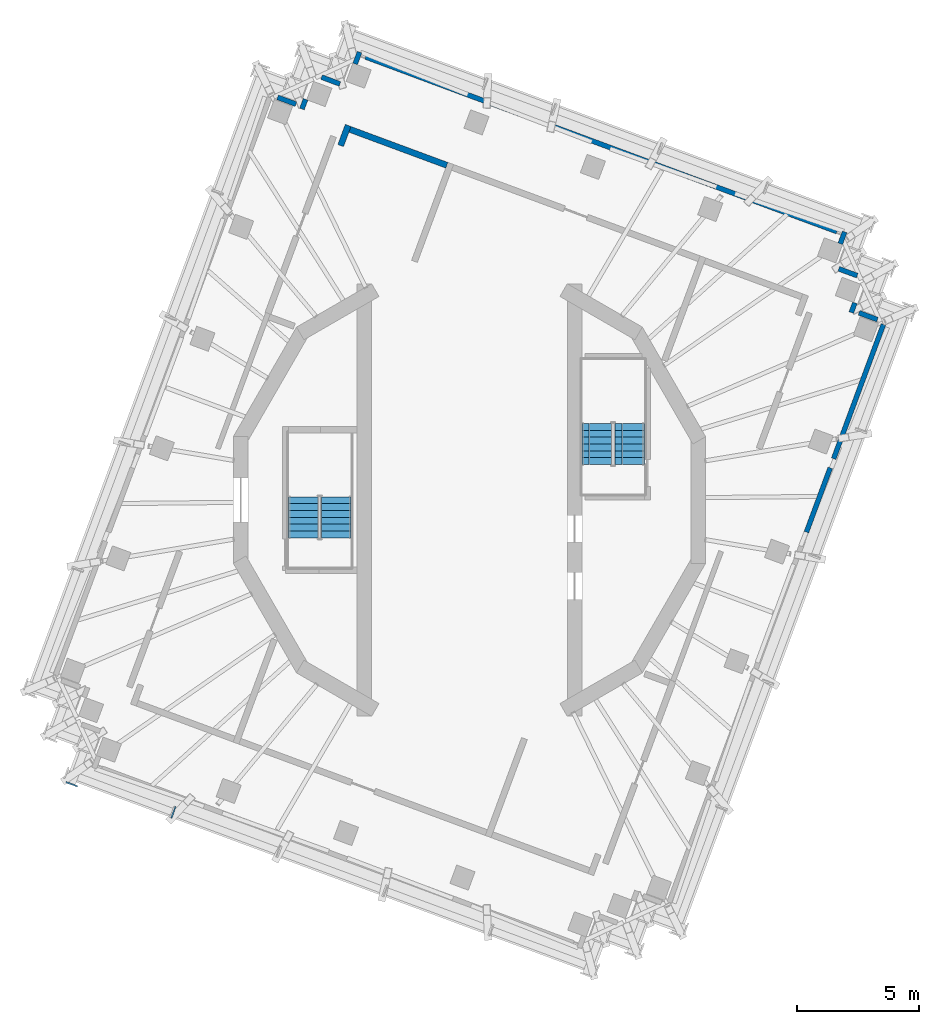
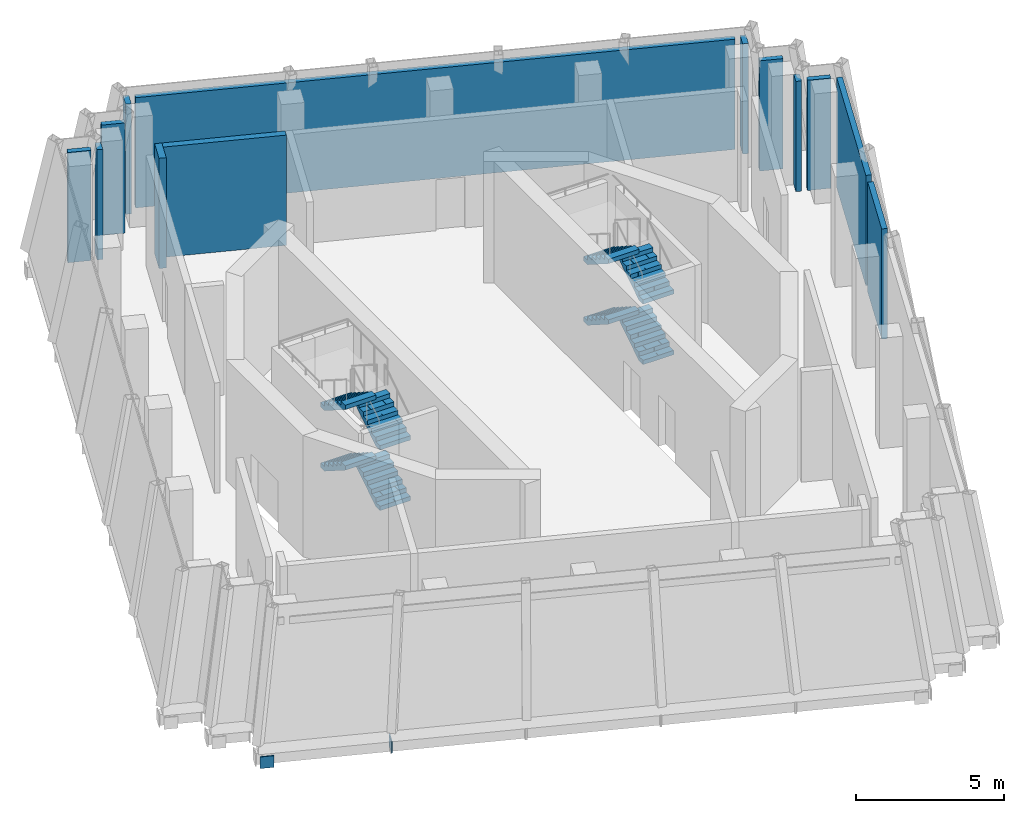
# One storey, part 6 of 13: 13 walls, 8 stair flights, 2 discrete accessories, 4 elements without a shape of their own.
"""IFC4 building model written with IfcOpenShell, lengths in metres."""

from ifc_helpers import new_model, si_unit, direction, frame, frame_2d, origin, place, context, subcontext, project, spatial, polyline, rectangle, outline, extrude, material, layer, layer_set, type_object, element, aggregate, save


model = new_model("IFC4")

# Units and contexts
model_context = context("Model", 3, precision=1e-05, world=origin(), true_north=direction((0.0, 1.0)))
body_context = subcontext(model_context, "Body", "Model", "MODEL_VIEW")
ifc_project = project(units=[si_unit("LENGTHUNIT", "METRE"), si_unit("AREAUNIT", "SQUARE_METRE"), si_unit("VOLUMEUNIT", "CUBIC_METRE"), si_unit("PLANEANGLEUNIT", "RADIAN"), si_unit("MASSUNIT", "GRAM", prefix="KILO")], contexts=[model_context])

# Site, building, storey
site_placement = place(None, origin())
site = spatial("IfcSite", under=ifc_project, at=site_placement, CompositionType="ELEMENT")
building_placement = place(site_placement, origin())
building = spatial("IfcBuilding", under=site, at=building_placement, Name="Cantera Rosa Tower", CompositionType="ELEMENT")
storey_placement = place(building_placement, frame((0.0, 0.0, 350.699951171875)))
storey = spatial("IfcBuildingStorey", under=building, at=storey_placement, Name="L79", CompositionType="ELEMENT", Elevation=350.699951171875)

# Walls
ifc_material_1 = material(Name="Masonry blockwork", Category="masonry")
ifc_layer_1 = layer(ifc_material_1, 0.199951171875)
ifc_layer_set_1 = layer_set([ifc_layer_1], Name="Blockwork partition 200")
wall_type_1 = type_object("IfcWallType", Name="Blockwork partition 200", PredefinedType="PARTITIONING", material=ifc_layer_set_1)
for number, where, z_axis, x_axis, name in (
    (1, (15.167236328125, 10.481201171875, 0.0), (0.0, 0.0, 1.0), (0.347391322771, 0.937720250855, 0.0), "Partition L79-26"),
    (2, (-4.67431640625, 17.833984375, 0.0), (0.0, 0.0, 1.0), (0.347391322771, 0.937720250855, 0.0), "Partition L79-29"),
):
    element("IfcWall", number, at=place(storey_placement, frame(where, z_axis=z_axis, x_axis=x_axis)), inside=storey, type_object=wall_type_1, Name=name, PredefinedType="PARTITIONING", context=body_context, shape_type="SweptSolid", body=[
        extrude(rectangle(XDim=0.5166015625, YDim=0.199951171875, at=frame_2d((0.25830078125, 0.0))), origin(), (0.0, 0.0, 1.0), 4.550048828125),
    ])
wall_1_placement = place(storey_placement, frame((-6.85009765625, 15.99169921875, 0.0), z_axis=(0.0, 0.0, 1.0), x_axis=(0.347371017887, 0.937727772827, 0.0)))
element("IfcWall", 3, at=wall_1_placement, inside=storey, type_object=wall_type_1, Name="Partition L79-31", PredefinedType="PARTITIONING", context=body_context, shape_type="SweptSolid", body=[
    extrude(rectangle(XDim=0.4208984375, YDim=0.199951171875, at=frame_2d((0.21044921875, 0.0))), origin(), (0.0, 0.0, 1.0), 4.550048828125),
])
for number, where, z_axis, x_axis, name in (
    (4, (16.68310546875, 7.377685546875, 0.0), (0.0, 0.0, 1.0), (-0.937726665975, 0.34737400582, 0.0), "Partition L79-37"),
    (5, (-7.0966796875, 16.189697265625, 0.0), (0.0, 0.0, 1.0), (-0.93762720555, 0.34764237862, 0.0), "Partition L79-38"),
):
    element("IfcWall", number, at=place(storey_placement, frame(where, z_axis=z_axis, x_axis=x_axis)), inside=storey, type_object=wall_type_1, Name=name, PredefinedType="PARTITIONING", context=body_context, shape_type="SweptSolid", body=[
        extrude(rectangle(XDim=0.7998046875, YDim=0.199951171875, at=frame_2d((0.39990234375, 0.0))), origin(), (0.0, 0.0, 1.0), 4.550048828125),
    ])
for number, where, z_axis, x_axis, name in (
    (6, (15.85693359375, 9.177001953125, 0.0), (0.0, 0.0, 1.0), (-0.937763484234, 0.347274599759, 0.0), "Partition L79-39"),
    (7, (-5.29736328125, 17.01611328125, 0.0), (0.0, 0.0, 1.0), (-0.937763484234, 0.347274599759, 0.0), "Partition L79-40"),
):
    element("IfcWall", number, at=place(storey_placement, frame(where, z_axis=z_axis, x_axis=x_axis)), inside=storey, type_object=wall_type_1, Name=name, PredefinedType="PARTITIONING", context=body_context, shape_type="SweptSolid", body=[
        extrude(rectangle(XDim=0.800048828125, YDim=0.199951171875, at=frame_2d((0.39990234375, 0.0))), origin(), (0.0, 0.0, 1.0), 4.550048828125),
    ])
wall_2_placement = place(storey_placement, frame((15.030517578125, 10.97607421875, 0.0), z_axis=(0.0, 0.0, 1.0), x_axis=(-0.937685576628, 0.347484905261, 0.0)))
element("IfcWall", 8, at=wall_2_placement, inside=storey, type_object=wall_type_1, Name="Partition L79-41", PredefinedType="PARTITIONING", context=body_context, shape_type="SweptSolid", body=[
    extrude(rectangle(XDim=20.56005859375, YDim=0.199951171875, at=frame_2d((10.280029296875, 0.0))), origin(), (0.0, 0.0, 1.0), 4.550048828125),
])
wall_3_placement = place(storey_placement, frame((15.616943359375, 7.666015625, 0.0), z_axis=(0.0, 0.0, 1.0), x_axis=(0.347371017887, 0.937727772827, 0.0)))
element("IfcWall", 9, at=wall_3_placement, inside=storey, type_object=wall_type_1, Name="Partition L79-43", PredefinedType="PARTITIONING", context=body_context, shape_type="SweptSolid", body=[
    extrude(rectangle(XDim=0.4208984375, YDim=0.199951171875, at=frame_2d((0.21044921875, 0.0))), origin(), (0.0, 0.0, 1.0), 4.550048828125),
])
wall_4_placement = place(storey_placement, frame((13.78271484375, -1.3125, 0.0), z_axis=(0.0, 0.0, 1.0), x_axis=(0.347527372163, 0.937669838268, 0.0)))
element("IfcWall", 10, at=wall_4_placement, inside=storey, type_object=wall_type_1, Name="Partition L79-45", PredefinedType="PARTITIONING", context=body_context, shape_type="SweptSolid", body=[
    extrude(rectangle(XDim=2.799560546875, YDim=0.199951171875, at=frame_2d((1.39990234375, 0.0))), origin(), (0.0, 0.0, 1.0), 4.550048828125),
])
wall_5_placement = place(storey_placement, frame((14.89453125, 1.6875, 0.0), z_axis=(0.0, 0.0, 1.0), x_axis=(0.347466399837, 0.937692434109, 0.0)))
element("IfcWall", 11, at=wall_5_placement, inside=storey, type_object=wall_type_1, Name="Partition L79-46", PredefinedType="PARTITIONING", context=body_context, shape_type="SweptSolid", body=[
    extrude(rectangle(XDim=5.857177734375, YDim=0.199951171875, at=frame_2d((2.9287109375, 0.0))), origin(), (0.0, 0.0, 1.0), 4.550048828125),
])
ifc_material_2 = material(Name="Masonry blockwork", Category="masonry")
ifc_layer_2 = layer(ifc_material_2, 0.25)
ifc_layer_set_2 = layer_set([ifc_layer_2], Name="Fire-rated wall 250")
wall_type_2 = type_object("IfcWallType", Name="Fire-rated wall 250", PredefinedType="PARTITIONING", material=ifc_layer_set_2)
wall_6_placement = place(storey_placement, frame((-5.26708984375, 14.494384765625, 0.0), z_axis=(0.0, 0.0, 1.0), x_axis=(0.34746813681, 0.937691790463, 0.0)))
element("IfcWall", 12, at=wall_6_placement, inside=storey, type_object=wall_type_2, Name="Fire wall L79-7", PredefinedType="PARTITIONING", context=body_context, shape_type="SweptSolid", body=[
    extrude(rectangle(XDim=0.87890625, YDim=0.25, at=frame_2d((0.439453125, 0.0))), origin(), (0.0, 0.0, 1.0), 4.550048828125),
])
wall_7_placement = place(storey_placement, frame((-0.92578125, 13.689697265625, 0.0), z_axis=(0.0, 0.0, 1.0), x_axis=(-0.937687413065, 0.347479949607, 0.0)))
element("IfcWall", 13, at=wall_7_placement, inside=storey, type_object=wall_type_2, Name="Fire wall L79-14", PredefinedType="PARTITIONING", context=body_context, shape_type="SweptSolid", body=[
    extrude(rectangle(XDim=4.225341796875, YDim=0.25, at=frame_2d((2.11279296875, 0.0))), origin(), (0.0, 0.0, 1.0), 4.550048828125),
])

# Stair, stair flights
ifc_material_3 = material(Name="Concrete C35/45", Category="concrete")
stair_type = type_object("IfcStairType", Name="EXIT STAIR 1200 DOGLEG", PredefinedType="HALF_TURN_STAIR", material=ifc_material_3)
stair_1_placement = place(storey_placement, origin())
stair_1 = element("IfcStair", 14, at=stair_1_placement, inside=storey, type_object=stair_type, Name="L79 ST-71", PredefinedType="HALF_TURN_STAIR")
ifc_material_4 = material(Name="Concrete C35/45", Category="concrete")
stair_flight_type = type_object("IfcStairFlightType", Name="STAIR FLIGHT 1200 R28x179", PredefinedType="STRAIGHT", material=ifc_material_4)
stair_flight_1_placement = place(storey_placement, frame((-5.449951171875, -1.550048828125, 0.0), z_axis=(0.0, 0.0, 1.0), x_axis=(0.0, 1.0, 0.0)))
stair_flight_1 = element("IfcStairFlight", 15, at=stair_flight_1_placement, type_object=stair_flight_type, Name="ST-71 flight 1", NumberOfRisers=7, NumberOfTreads=6, PredefinedType="STRAIGHT", RiserHeight=0.178571429, TreadLength=0.28, context=body_context, shape_type="SweptSolid", body=[
    extrude(outline(polyline([(0.0, 0.0), (0.0, 0.178466796875), (0.280029296875, 0.178466796875), (0.280029296875, 0.357177734375), (0.56005859375, 0.357177734375), (0.56005859375, 0.53564453125), (0.840087890625, 0.53564453125), (0.840087890625, 0.71435546875), (1.1201171875, 0.71435546875), (1.1201171875, 0.892822265625), (1.39990234375, 0.892822265625), (1.39990234375, 1.071533203125), (1.679931640625, 1.071533203125), (1.679931640625, 1.25), (1.679931640625, 0.8935546875), (0.27880859375, 0.0), (0.0, 0.0)])), frame((0.0, 0.60009765625, 0.0), z_axis=(0.0, -1.0, 0.0), x_axis=(1.0, 0.0, 0.0)), (0.0, 0.0, 1.0), 0.298583984375),
    extrude(outline(polyline([(0.0, 0.0), (0.0, 0.178466796875), (0.280029296875, 0.178466796875), (0.280029296875, 0.357177734375), (0.56005859375, 0.357177734375), (0.56005859375, 0.53564453125), (0.840087890625, 0.53564453125), (0.840087890625, 0.71435546875), (1.1201171875, 0.71435546875), (1.1201171875, 0.892822265625), (1.39990234375, 0.892822265625), (1.39990234375, 1.071533203125), (1.679931640625, 1.071533203125), (1.679931640625, 1.25), (1.679931640625, 0.8935546875), (0.27880859375, 0.0), (0.0, 0.0)])), frame((0.0, 0.29931640625, 0.0), z_axis=(0.0, -1.0, 0.0), x_axis=(1.0, 0.0, 0.0)), (0.0, 0.0, 1.0), 0.298583984375),
    extrude(outline(polyline([(0.0, 0.0), (0.0, 0.178466796875), (0.280029296875, 0.178466796875), (0.280029296875, 0.357177734375), (0.56005859375, 0.357177734375), (0.56005859375, 0.53564453125), (0.840087890625, 0.53564453125), (0.840087890625, 0.71435546875), (1.1201171875, 0.71435546875), (1.1201171875, 0.892822265625), (1.39990234375, 0.892822265625), (1.39990234375, 1.071533203125), (1.679931640625, 1.071533203125), (1.679931640625, 1.25), (1.679931640625, 0.8935546875), (0.27880859375, 0.0), (0.0, 0.0)])), frame((0.0, -0.0009765625, 0.0), z_axis=(0.0, -1.0, 0.0), x_axis=(1.0, 0.0, 0.0)), (0.0, 0.0, 1.0), 0.298583984375),
    extrude(outline(polyline([(0.0, 0.0), (0.0, 0.178466796875), (0.280029296875, 0.178466796875), (0.280029296875, 0.357177734375), (0.56005859375, 0.357177734375), (0.56005859375, 0.53564453125), (0.840087890625, 0.53564453125), (0.840087890625, 0.71435546875), (1.1201171875, 0.71435546875), (1.1201171875, 0.892822265625), (1.39990234375, 0.892822265625), (1.39990234375, 1.071533203125), (1.679931640625, 1.071533203125), (1.679931640625, 1.25), (1.679931640625, 0.8935546875), (0.27880859375, 0.0), (0.0, 0.0)])), frame((0.0, -0.3017578125, 0.0), z_axis=(0.0, -1.0, 0.0), x_axis=(1.0, 0.0, 0.0)), (0.0, 0.0, 1.0), 0.298583984375),
])
stair_flight_2_placement = place(storey_placement, frame((-6.800048828125, 0.1298828125, 1.25), z_axis=(0.0, 0.0, 1.0), x_axis=(0.0, -1.0, 0.0)))
stair_flight_2 = element("IfcStairFlight", 16, at=stair_flight_2_placement, type_object=stair_flight_type, Name="ST-71 flight 2", NumberOfRisers=7, NumberOfTreads=6, PredefinedType="STRAIGHT", RiserHeight=0.178571429, TreadLength=0.28, context=body_context, shape_type="SweptSolid", body=[
    extrude(outline(polyline([(0.0, 0.0), (0.0, 0.178466796875), (0.280029296875, 0.178466796875), (0.280029296875, 0.357177734375), (0.56005859375, 0.357177734375), (0.56005859375, 0.53564453125), (0.840087890625, 0.53564453125), (0.840087890625, 0.71435546875), (1.1201171875, 0.71435546875), (1.1201171875, 0.892822265625), (1.39990234375, 0.892822265625), (1.39990234375, 1.071533203125), (1.679931640625, 1.071533203125), (1.679931640625, 1.25), (1.679931640625, 0.8935546875), (0.27880859375, 0.0), (0.0, 0.0)])), frame((0.0, 0.60009765625, 0.0), z_axis=(0.0, -1.0, 0.0), x_axis=(1.0, 0.0, 0.0)), (0.0, 0.0, 1.0), 0.298583984375),
    extrude(outline(polyline([(0.0, 0.0), (0.0, 0.178466796875), (0.280029296875, 0.178466796875), (0.280029296875, 0.357177734375), (0.56005859375, 0.357177734375), (0.56005859375, 0.53564453125), (0.840087890625, 0.53564453125), (0.840087890625, 0.71435546875), (1.1201171875, 0.71435546875), (1.1201171875, 0.892822265625), (1.39990234375, 0.892822265625), (1.39990234375, 1.071533203125), (1.679931640625, 1.071533203125), (1.679931640625, 1.25), (1.679931640625, 0.8935546875), (0.27880859375, 0.0), (0.0, 0.0)])), frame((0.0, 0.29931640625, 0.0), z_axis=(0.0, -1.0, 0.0), x_axis=(1.0, 0.0, 0.0)), (0.0, 0.0, 1.0), 0.298583984375),
    extrude(outline(polyline([(0.0, 0.0), (0.0, 0.178466796875), (0.280029296875, 0.178466796875), (0.280029296875, 0.357177734375), (0.56005859375, 0.357177734375), (0.56005859375, 0.53564453125), (0.840087890625, 0.53564453125), (0.840087890625, 0.71435546875), (1.1201171875, 0.71435546875), (1.1201171875, 0.892822265625), (1.39990234375, 0.892822265625), (1.39990234375, 1.071533203125), (1.679931640625, 1.071533203125), (1.679931640625, 1.25), (1.679931640625, 0.8935546875), (0.27880859375, 0.0), (0.0, 0.0)])), frame((0.0, -0.0009765625, 0.0), z_axis=(0.0, -1.0, 0.0), x_axis=(1.0, 0.0, 0.0)), (0.0, 0.0, 1.0), 0.298583984375),
    extrude(outline(polyline([(0.0, 0.0), (0.0, 0.178466796875), (0.280029296875, 0.178466796875), (0.280029296875, 0.357177734375), (0.56005859375, 0.357177734375), (0.56005859375, 0.53564453125), (0.840087890625, 0.53564453125), (0.840087890625, 0.71435546875), (1.1201171875, 0.71435546875), (1.1201171875, 0.892822265625), (1.39990234375, 0.892822265625), (1.39990234375, 1.071533203125), (1.679931640625, 1.071533203125), (1.679931640625, 1.25), (1.679931640625, 0.8935546875), (0.27880859375, 0.0), (0.0, 0.0)])), frame((0.0, -0.3017578125, 0.0), z_axis=(0.0, -1.0, 0.0), x_axis=(1.0, 0.0, 0.0)), (0.0, 0.0, 1.0), 0.298583984375),
])
stair_flight_3_placement = place(storey_placement, frame((-5.449951171875, -1.550048828125, 2.5), z_axis=(0.0, 0.0, 1.0), x_axis=(0.0, 1.0, 0.0)))
stair_flight_3 = element("IfcStairFlight", 17, at=stair_flight_3_placement, type_object=stair_flight_type, Name="ST-71 flight 3", NumberOfRisers=7, NumberOfTreads=6, PredefinedType="STRAIGHT", RiserHeight=0.178571429, TreadLength=0.28, context=body_context, shape_type="SweptSolid", body=[
    extrude(outline(polyline([(0.0, 0.0), (0.0, 0.178466796875), (0.280029296875, 0.178466796875), (0.280029296875, 0.357177734375), (0.56005859375, 0.357177734375), (0.56005859375, 0.53564453125), (0.840087890625, 0.53564453125), (0.840087890625, 0.71435546875), (1.1201171875, 0.71435546875), (1.1201171875, 0.892822265625), (1.39990234375, 0.892822265625), (1.39990234375, 1.071533203125), (1.679931640625, 1.071533203125), (1.679931640625, 1.25), (1.679931640625, 0.8935546875), (0.27880859375, 0.0), (0.0, 0.0)])), frame((0.0, 0.60009765625, 0.0), z_axis=(0.0, -1.0, 0.0), x_axis=(1.0, 0.0, 0.0)), (0.0, 0.0, 1.0), 0.298583984375),
    extrude(outline(polyline([(0.0, 0.0), (0.0, 0.178466796875), (0.280029296875, 0.178466796875), (0.280029296875, 0.357177734375), (0.56005859375, 0.357177734375), (0.56005859375, 0.53564453125), (0.840087890625, 0.53564453125), (0.840087890625, 0.71435546875), (1.1201171875, 0.71435546875), (1.1201171875, 0.892822265625), (1.39990234375, 0.892822265625), (1.39990234375, 1.071533203125), (1.679931640625, 1.071533203125), (1.679931640625, 1.25), (1.679931640625, 0.8935546875), (0.27880859375, 0.0), (0.0, 0.0)])), frame((0.0, 0.29931640625, 0.0), z_axis=(0.0, -1.0, 0.0), x_axis=(1.0, 0.0, 0.0)), (0.0, 0.0, 1.0), 0.298583984375),
    extrude(outline(polyline([(0.0, 0.0), (0.0, 0.178466796875), (0.280029296875, 0.178466796875), (0.280029296875, 0.357177734375), (0.56005859375, 0.357177734375), (0.56005859375, 0.53564453125), (0.840087890625, 0.53564453125), (0.840087890625, 0.71435546875), (1.1201171875, 0.71435546875), (1.1201171875, 0.892822265625), (1.39990234375, 0.892822265625), (1.39990234375, 1.071533203125), (1.679931640625, 1.071533203125), (1.679931640625, 1.25), (1.679931640625, 0.8935546875), (0.27880859375, 0.0), (0.0, 0.0)])), frame((0.0, -0.0009765625, 0.0), z_axis=(0.0, -1.0, 0.0), x_axis=(1.0, 0.0, 0.0)), (0.0, 0.0, 1.0), 0.298583984375),
    extrude(outline(polyline([(0.0, 0.0), (0.0, 0.178466796875), (0.280029296875, 0.178466796875), (0.280029296875, 0.357177734375), (0.56005859375, 0.357177734375), (0.56005859375, 0.53564453125), (0.840087890625, 0.53564453125), (0.840087890625, 0.71435546875), (1.1201171875, 0.71435546875), (1.1201171875, 0.892822265625), (1.39990234375, 0.892822265625), (1.39990234375, 1.071533203125), (1.679931640625, 1.071533203125), (1.679931640625, 1.25), (1.679931640625, 0.8935546875), (0.27880859375, 0.0), (0.0, 0.0)])), frame((0.0, -0.3017578125, 0.0), z_axis=(0.0, -1.0, 0.0), x_axis=(1.0, 0.0, 0.0)), (0.0, 0.0, 1.0), 0.298583984375),
])
stair_flight_4_placement = place(storey_placement, frame((-6.800048828125, 0.1298828125, 3.75), z_axis=(0.0, 0.0, 1.0), x_axis=(0.0, -1.0, 0.0)))
stair_flight_4 = element("IfcStairFlight", 18, at=stair_flight_4_placement, type_object=stair_flight_type, Name="ST-71 flight 4", NumberOfRisers=7, NumberOfTreads=6, PredefinedType="STRAIGHT", RiserHeight=0.178571429, TreadLength=0.28, context=body_context, shape_type="SweptSolid", body=[
    extrude(outline(polyline([(0.0, 0.0), (0.0, 0.178466796875), (0.280029296875, 0.178466796875), (0.280029296875, 0.357177734375), (0.56005859375, 0.357177734375), (0.56005859375, 0.53564453125), (0.840087890625, 0.53564453125), (0.840087890625, 0.71435546875), (1.1201171875, 0.71435546875), (1.1201171875, 0.892822265625), (1.39990234375, 0.892822265625), (1.39990234375, 1.071533203125), (1.679931640625, 1.071533203125), (1.679931640625, 1.25), (1.679931640625, 0.8935546875), (0.27880859375, 0.0), (0.0, 0.0)])), frame((0.0, 0.60009765625, 0.0), z_axis=(0.0, -1.0, 0.0), x_axis=(1.0, 0.0, 0.0)), (0.0, 0.0, 1.0), 0.298583984375),
    extrude(outline(polyline([(0.0, 0.0), (0.0, 0.178466796875), (0.280029296875, 0.178466796875), (0.280029296875, 0.357177734375), (0.56005859375, 0.357177734375), (0.56005859375, 0.53564453125), (0.840087890625, 0.53564453125), (0.840087890625, 0.71435546875), (1.1201171875, 0.71435546875), (1.1201171875, 0.892822265625), (1.39990234375, 0.892822265625), (1.39990234375, 1.071533203125), (1.679931640625, 1.071533203125), (1.679931640625, 1.25), (1.679931640625, 0.8935546875), (0.27880859375, 0.0), (0.0, 0.0)])), frame((0.0, 0.29931640625, 0.0), z_axis=(0.0, -1.0, 0.0), x_axis=(1.0, 0.0, 0.0)), (0.0, 0.0, 1.0), 0.298583984375),
    extrude(outline(polyline([(0.0, 0.0), (0.0, 0.178466796875), (0.280029296875, 0.178466796875), (0.280029296875, 0.357177734375), (0.56005859375, 0.357177734375), (0.56005859375, 0.53564453125), (0.840087890625, 0.53564453125), (0.840087890625, 0.71435546875), (1.1201171875, 0.71435546875), (1.1201171875, 0.892822265625), (1.39990234375, 0.892822265625), (1.39990234375, 1.071533203125), (1.679931640625, 1.071533203125), (1.679931640625, 1.25), (1.679931640625, 0.8935546875), (0.27880859375, 0.0), (0.0, 0.0)])), frame((0.0, -0.0009765625, 0.0), z_axis=(0.0, -1.0, 0.0), x_axis=(1.0, 0.0, 0.0)), (0.0, 0.0, 1.0), 0.298583984375),
    extrude(outline(polyline([(0.0, 0.0), (0.0, 0.178466796875), (0.280029296875, 0.178466796875), (0.280029296875, 0.357177734375), (0.56005859375, 0.357177734375), (0.56005859375, 0.53564453125), (0.840087890625, 0.53564453125), (0.840087890625, 0.71435546875), (1.1201171875, 0.71435546875), (1.1201171875, 0.892822265625), (1.39990234375, 0.892822265625), (1.39990234375, 1.071533203125), (1.679931640625, 1.071533203125), (1.679931640625, 1.25), (1.679931640625, 0.8935546875), (0.27880859375, 0.0), (0.0, 0.0)])), frame((0.0, -0.3017578125, 0.0), z_axis=(0.0, -1.0, 0.0), x_axis=(1.0, 0.0, 0.0)), (0.0, 0.0, 1.0), 0.298583984375),
])
aggregate(stair_1, [stair_flight_1, stair_flight_2, stair_flight_3, stair_flight_4])

stair_2_placement = place(storey_placement, origin())
stair_2 = element("IfcStair", 19, at=stair_2_placement, inside=storey, type_object=stair_type, Name="L79 ST-72", PredefinedType="HALF_TURN_STAIR")
stair_flight_5_placement = place(storey_placement, frame((6.550048828125, 1.449951171875, 0.0), z_axis=(0.0, 0.0, 1.0), x_axis=(0.0, 1.0, 0.0)))
stair_flight_5 = element("IfcStairFlight", 20, at=stair_flight_5_placement, type_object=stair_flight_type, Name="ST-72 flight 1", NumberOfRisers=7, NumberOfTreads=6, PredefinedType="STRAIGHT", RiserHeight=0.178571429, TreadLength=0.28, context=body_context, shape_type="SweptSolid", body=[
    extrude(outline(polyline([(0.0, 0.0), (0.0, 0.178466796875), (0.280029296875, 0.178466796875), (0.280029296875, 0.357177734375), (0.56005859375, 0.357177734375), (0.56005859375, 0.53564453125), (0.840087890625, 0.53564453125), (0.840087890625, 0.71435546875), (1.1201171875, 0.71435546875), (1.1201171875, 0.892822265625), (1.39990234375, 0.892822265625), (1.39990234375, 1.071533203125), (1.679931640625, 1.071533203125), (1.679931640625, 1.25), (1.679931640625, 0.8935546875), (0.27880859375, 0.0), (0.0, 0.0)])), frame((0.0, 0.60009765625, 0.0), z_axis=(0.0, -1.0, 0.0), x_axis=(1.0, 0.0, 0.0)), (0.0, 0.0, 1.0), 0.298583984375),
    extrude(outline(polyline([(0.0, 0.0), (0.0, 0.178466796875), (0.280029296875, 0.178466796875), (0.280029296875, 0.357177734375), (0.56005859375, 0.357177734375), (0.56005859375, 0.53564453125), (0.840087890625, 0.53564453125), (0.840087890625, 0.71435546875), (1.1201171875, 0.71435546875), (1.1201171875, 0.892822265625), (1.39990234375, 0.892822265625), (1.39990234375, 1.071533203125), (1.679931640625, 1.071533203125), (1.679931640625, 1.25), (1.679931640625, 0.8935546875), (0.27880859375, 0.0), (0.0, 0.0)])), frame((0.0, 0.29931640625, 0.0), z_axis=(0.0, -1.0, 0.0), x_axis=(1.0, 0.0, 0.0)), (0.0, 0.0, 1.0), 0.298583984375),
    extrude(outline(polyline([(0.0, 0.0), (0.0, 0.178466796875), (0.280029296875, 0.178466796875), (0.280029296875, 0.357177734375), (0.56005859375, 0.357177734375), (0.56005859375, 0.53564453125), (0.840087890625, 0.53564453125), (0.840087890625, 0.71435546875), (1.1201171875, 0.71435546875), (1.1201171875, 0.892822265625), (1.39990234375, 0.892822265625), (1.39990234375, 1.071533203125), (1.679931640625, 1.071533203125), (1.679931640625, 1.25), (1.679931640625, 0.8935546875), (0.27880859375, 0.0), (0.0, 0.0)])), frame((0.0, -0.0009765625, 0.0), z_axis=(0.0, -1.0, 0.0), x_axis=(1.0, 0.0, 0.0)), (0.0, 0.0, 1.0), 0.298583984375),
    extrude(outline(polyline([(0.0, 0.0), (0.0, 0.178466796875), (0.280029296875, 0.178466796875), (0.280029296875, 0.357177734375), (0.56005859375, 0.357177734375), (0.56005859375, 0.53564453125), (0.840087890625, 0.53564453125), (0.840087890625, 0.71435546875), (1.1201171875, 0.71435546875), (1.1201171875, 0.892822265625), (1.39990234375, 0.892822265625), (1.39990234375, 1.071533203125), (1.679931640625, 1.071533203125), (1.679931640625, 1.25), (1.679931640625, 0.8935546875), (0.27880859375, 0.0), (0.0, 0.0)])), frame((0.0, -0.3017578125, 0.0), z_axis=(0.0, -1.0, 0.0), x_axis=(1.0, 0.0, 0.0)), (0.0, 0.0, 1.0), 0.298583984375),
])
stair_flight_6_placement = place(storey_placement, frame((5.199951171875, 3.1298828125, 1.25), z_axis=(0.0, 0.0, 1.0), x_axis=(0.0, -1.0, 0.0)))
stair_flight_6 = element("IfcStairFlight", 21, at=stair_flight_6_placement, type_object=stair_flight_type, Name="ST-72 flight 2", NumberOfRisers=7, NumberOfTreads=6, PredefinedType="STRAIGHT", RiserHeight=0.178571429, TreadLength=0.28, context=body_context, shape_type="SweptSolid", body=[
    extrude(outline(polyline([(0.0, 0.0), (0.0, 0.178466796875), (0.280029296875, 0.178466796875), (0.280029296875, 0.357177734375), (0.56005859375, 0.357177734375), (0.56005859375, 0.53564453125), (0.840087890625, 0.53564453125), (0.840087890625, 0.71435546875), (1.1201171875, 0.71435546875), (1.1201171875, 0.892822265625), (1.39990234375, 0.892822265625), (1.39990234375, 1.071533203125), (1.679931640625, 1.071533203125), (1.679931640625, 1.25), (1.679931640625, 0.8935546875), (0.27880859375, 0.0), (0.0, 0.0)])), frame((0.0, 0.60009765625, 0.0), z_axis=(0.0, -1.0, 0.0), x_axis=(1.0, 0.0, 0.0)), (0.0, 0.0, 1.0), 0.298583984375),
    extrude(outline(polyline([(0.0, 0.0), (0.0, 0.178466796875), (0.280029296875, 0.178466796875), (0.280029296875, 0.357177734375), (0.56005859375, 0.357177734375), (0.56005859375, 0.53564453125), (0.840087890625, 0.53564453125), (0.840087890625, 0.71435546875), (1.1201171875, 0.71435546875), (1.1201171875, 0.892822265625), (1.39990234375, 0.892822265625), (1.39990234375, 1.071533203125), (1.679931640625, 1.071533203125), (1.679931640625, 1.25), (1.679931640625, 0.8935546875), (0.27880859375, 0.0), (0.0, 0.0)])), frame((0.0, 0.29931640625, 0.0), z_axis=(0.0, -1.0, 0.0), x_axis=(1.0, 0.0, 0.0)), (0.0, 0.0, 1.0), 0.298583984375),
    extrude(outline(polyline([(0.0, 0.0), (0.0, 0.178466796875), (0.280029296875, 0.178466796875), (0.280029296875, 0.357177734375), (0.56005859375, 0.357177734375), (0.56005859375, 0.53564453125), (0.840087890625, 0.53564453125), (0.840087890625, 0.71435546875), (1.1201171875, 0.71435546875), (1.1201171875, 0.892822265625), (1.39990234375, 0.892822265625), (1.39990234375, 1.071533203125), (1.679931640625, 1.071533203125), (1.679931640625, 1.25), (1.679931640625, 0.8935546875), (0.27880859375, 0.0), (0.0, 0.0)])), frame((0.0, -0.0009765625, 0.0), z_axis=(0.0, -1.0, 0.0), x_axis=(1.0, 0.0, 0.0)), (0.0, 0.0, 1.0), 0.298583984375),
    extrude(outline(polyline([(0.0, 0.0), (0.0, 0.178466796875), (0.280029296875, 0.178466796875), (0.280029296875, 0.357177734375), (0.56005859375, 0.357177734375), (0.56005859375, 0.53564453125), (0.840087890625, 0.53564453125), (0.840087890625, 0.71435546875), (1.1201171875, 0.71435546875), (1.1201171875, 0.892822265625), (1.39990234375, 0.892822265625), (1.39990234375, 1.071533203125), (1.679931640625, 1.071533203125), (1.679931640625, 1.25), (1.679931640625, 0.8935546875), (0.27880859375, 0.0), (0.0, 0.0)])), frame((0.0, -0.3017578125, 0.0), z_axis=(0.0, -1.0, 0.0), x_axis=(1.0, 0.0, 0.0)), (0.0, 0.0, 1.0), 0.298583984375),
])
stair_flight_7_placement = place(storey_placement, frame((6.550048828125, 1.449951171875, 2.5), z_axis=(0.0, 0.0, 1.0), x_axis=(0.0, 1.0, 0.0)))
stair_flight_7 = element("IfcStairFlight", 22, at=stair_flight_7_placement, type_object=stair_flight_type, Name="ST-72 flight 3", NumberOfRisers=7, NumberOfTreads=6, PredefinedType="STRAIGHT", RiserHeight=0.178571429, TreadLength=0.28, context=body_context, shape_type="SweptSolid", body=[
    extrude(outline(polyline([(0.0, 0.0), (0.0, 0.178466796875), (0.280029296875, 0.178466796875), (0.280029296875, 0.357177734375), (0.56005859375, 0.357177734375), (0.56005859375, 0.53564453125), (0.840087890625, 0.53564453125), (0.840087890625, 0.71435546875), (1.1201171875, 0.71435546875), (1.1201171875, 0.892822265625), (1.39990234375, 0.892822265625), (1.39990234375, 1.071533203125), (1.679931640625, 1.071533203125), (1.679931640625, 1.25), (1.679931640625, 0.8935546875), (0.27880859375, 0.0), (0.0, 0.0)])), frame((0.0, 0.60009765625, 0.0), z_axis=(0.0, -1.0, 0.0), x_axis=(1.0, 0.0, 0.0)), (0.0, 0.0, 1.0), 0.298583984375),
    extrude(outline(polyline([(0.0, 0.0), (0.0, 0.178466796875), (0.280029296875, 0.178466796875), (0.280029296875, 0.357177734375), (0.56005859375, 0.357177734375), (0.56005859375, 0.53564453125), (0.840087890625, 0.53564453125), (0.840087890625, 0.71435546875), (1.1201171875, 0.71435546875), (1.1201171875, 0.892822265625), (1.39990234375, 0.892822265625), (1.39990234375, 1.071533203125), (1.679931640625, 1.071533203125), (1.679931640625, 1.25), (1.679931640625, 0.8935546875), (0.27880859375, 0.0), (0.0, 0.0)])), frame((0.0, 0.29931640625, 0.0), z_axis=(0.0, -1.0, 0.0), x_axis=(1.0, 0.0, 0.0)), (0.0, 0.0, 1.0), 0.298583984375),
    extrude(outline(polyline([(0.0, 0.0), (0.0, 0.178466796875), (0.280029296875, 0.178466796875), (0.280029296875, 0.357177734375), (0.56005859375, 0.357177734375), (0.56005859375, 0.53564453125), (0.840087890625, 0.53564453125), (0.840087890625, 0.71435546875), (1.1201171875, 0.71435546875), (1.1201171875, 0.892822265625), (1.39990234375, 0.892822265625), (1.39990234375, 1.071533203125), (1.679931640625, 1.071533203125), (1.679931640625, 1.25), (1.679931640625, 0.8935546875), (0.27880859375, 0.0), (0.0, 0.0)])), frame((0.0, -0.0009765625, 0.0), z_axis=(0.0, -1.0, 0.0), x_axis=(1.0, 0.0, 0.0)), (0.0, 0.0, 1.0), 0.298583984375),
    extrude(outline(polyline([(0.0, 0.0), (0.0, 0.178466796875), (0.280029296875, 0.178466796875), (0.280029296875, 0.357177734375), (0.56005859375, 0.357177734375), (0.56005859375, 0.53564453125), (0.840087890625, 0.53564453125), (0.840087890625, 0.71435546875), (1.1201171875, 0.71435546875), (1.1201171875, 0.892822265625), (1.39990234375, 0.892822265625), (1.39990234375, 1.071533203125), (1.679931640625, 1.071533203125), (1.679931640625, 1.25), (1.679931640625, 0.8935546875), (0.27880859375, 0.0), (0.0, 0.0)])), frame((0.0, -0.3017578125, 0.0), z_axis=(0.0, -1.0, 0.0), x_axis=(1.0, 0.0, 0.0)), (0.0, 0.0, 1.0), 0.298583984375),
])
stair_flight_8_placement = place(storey_placement, frame((5.199951171875, 3.1298828125, 3.75), z_axis=(0.0, 0.0, 1.0), x_axis=(0.0, -1.0, 0.0)))
stair_flight_8 = element("IfcStairFlight", 23, at=stair_flight_8_placement, type_object=stair_flight_type, Name="ST-72 flight 4", NumberOfRisers=7, NumberOfTreads=6, PredefinedType="STRAIGHT", RiserHeight=0.178571429, TreadLength=0.28, context=body_context, shape_type="SweptSolid", body=[
    extrude(outline(polyline([(0.0, 0.0), (0.0, 0.178466796875), (0.280029296875, 0.178466796875), (0.280029296875, 0.357177734375), (0.56005859375, 0.357177734375), (0.56005859375, 0.53564453125), (0.840087890625, 0.53564453125), (0.840087890625, 0.71435546875), (1.1201171875, 0.71435546875), (1.1201171875, 0.892822265625), (1.39990234375, 0.892822265625), (1.39990234375, 1.071533203125), (1.679931640625, 1.071533203125), (1.679931640625, 1.25), (1.679931640625, 0.8935546875), (0.27880859375, 0.0), (0.0, 0.0)])), frame((0.0, 0.60009765625, 0.0), z_axis=(0.0, -1.0, 0.0), x_axis=(1.0, 0.0, 0.0)), (0.0, 0.0, 1.0), 0.298583984375),
    extrude(outline(polyline([(0.0, 0.0), (0.0, 0.178466796875), (0.280029296875, 0.178466796875), (0.280029296875, 0.357177734375), (0.56005859375, 0.357177734375), (0.56005859375, 0.53564453125), (0.840087890625, 0.53564453125), (0.840087890625, 0.71435546875), (1.1201171875, 0.71435546875), (1.1201171875, 0.892822265625), (1.39990234375, 0.892822265625), (1.39990234375, 1.071533203125), (1.679931640625, 1.071533203125), (1.679931640625, 1.25), (1.679931640625, 0.8935546875), (0.27880859375, 0.0), (0.0, 0.0)])), frame((0.0, 0.29931640625, 0.0), z_axis=(0.0, -1.0, 0.0), x_axis=(1.0, 0.0, 0.0)), (0.0, 0.0, 1.0), 0.298583984375),
    extrude(outline(polyline([(0.0, 0.0), (0.0, 0.178466796875), (0.280029296875, 0.178466796875), (0.280029296875, 0.357177734375), (0.56005859375, 0.357177734375), (0.56005859375, 0.53564453125), (0.840087890625, 0.53564453125), (0.840087890625, 0.71435546875), (1.1201171875, 0.71435546875), (1.1201171875, 0.892822265625), (1.39990234375, 0.892822265625), (1.39990234375, 1.071533203125), (1.679931640625, 1.071533203125), (1.679931640625, 1.25), (1.679931640625, 0.8935546875), (0.27880859375, 0.0), (0.0, 0.0)])), frame((0.0, -0.0009765625, 0.0), z_axis=(0.0, -1.0, 0.0), x_axis=(1.0, 0.0, 0.0)), (0.0, 0.0, 1.0), 0.298583984375),
    extrude(outline(polyline([(0.0, 0.0), (0.0, 0.178466796875), (0.280029296875, 0.178466796875), (0.280029296875, 0.357177734375), (0.56005859375, 0.357177734375), (0.56005859375, 0.53564453125), (0.840087890625, 0.53564453125), (0.840087890625, 0.71435546875), (1.1201171875, 0.71435546875), (1.1201171875, 0.892822265625), (1.39990234375, 0.892822265625), (1.39990234375, 1.071533203125), (1.679931640625, 1.071533203125), (1.679931640625, 1.25), (1.679931640625, 0.8935546875), (0.27880859375, 0.0), (0.0, 0.0)])), frame((0.0, -0.3017578125, 0.0), z_axis=(0.0, -1.0, 0.0), x_axis=(1.0, 0.0, 0.0)), (0.0, 0.0, 1.0), 0.298583984375),
])
aggregate(stair_2, [stair_flight_5, stair_flight_6, stair_flight_7, stair_flight_8])

# Curtain wall, discrete accessory
ifc_material_5 = material(Name="Aluminium frame with clear glass", Category="aluminium")
curtain_wall_type = type_object("IfcCurtainWallType", Name="CW4 CROWN GLAZING", PredefinedType="NOTDEFINED", material=ifc_material_5)
curtain_wall_1_placement = place(storey_placement, origin())
curtain_wall_1 = element("IfcCurtainWall", 24, at=curtain_wall_1_placement, inside=storey, type_object=curtain_wall_type, Name="CW4 L79-18", PredefinedType="NOTDEFINED")
ifc_material_6 = material(Name="Steel S355J2 (EN 10025-2)", Category="steel")
ifc_layer_3 = layer(ifc_material_6, 0.030029296875)
ifc_layer_set_3 = layer_set([ifc_layer_3], Name="NODE PLATE 30")
discrete_accessory_type = type_object("IfcDiscreteAccessoryType", Name="NODE PLATE 30", PredefinedType="ANCHORPLATE", material=ifc_layer_set_3)
discrete_accessory_1_placement = place(storey_placement, frame((-16.050537109375, -11.7265625, -0.43505859375), z_axis=(-0.347496626235, -0.937681233018, 0.0), x_axis=(-0.937681233018, 0.347496626235, 0.0)))
discrete_accessory_1 = element("IfcDiscreteAccessory", 25, at=discrete_accessory_1_placement, type_object=discrete_accessory_type, Name="END PLATE TE1", PredefinedType="ANCHORPLATE", context=body_context, shape_type="SweptSolid", body=[
    extrude(outline(polyline([(0.0, 0.0), (0.4798551533622547, 0.0), (0.4798551533622547, 0.47998046875), (0.0, 0.47998046875), (0.0, 0.0)])), origin(), (0.0, 0.0, -1.0), 0.0400390625),
])
aggregate(curtain_wall_1, [discrete_accessory_1])

curtain_wall_2_placement = place(storey_placement, origin())
curtain_wall_2 = element("IfcCurtainWall", 26, at=curtain_wall_2_placement, inside=storey, type_object=curtain_wall_type, Name="CW4 L79-19", PredefinedType="NOTDEFINED")
discrete_accessory_2_placement = place(storey_placement, frame((-12.007080078125, -12.5556640625, -0.43505859375), z_axis=(0.937742626232, -0.347330918501, 0.0), x_axis=(-0.347330918501, -0.937742626232, 0.0)))
discrete_accessory_2 = element("IfcDiscreteAccessory", 27, at=discrete_accessory_2_placement, type_object=discrete_accessory_type, Name="END PLATE TE1", PredefinedType="ANCHORPLATE", context=body_context, shape_type="SweptSolid", body=[
    extrude(outline(polyline([(0.0, 0.0), (0.4800840869406107, 0.0), (0.4800840869406107, 0.47998046875), (0.0, 0.47998046875), (0.0, 0.0)])), origin(), (0.0, 0.0, -1.0), 0.0400390625),
])
aggregate(curtain_wall_2, [discrete_accessory_2])

save(model, "model.ifc")
